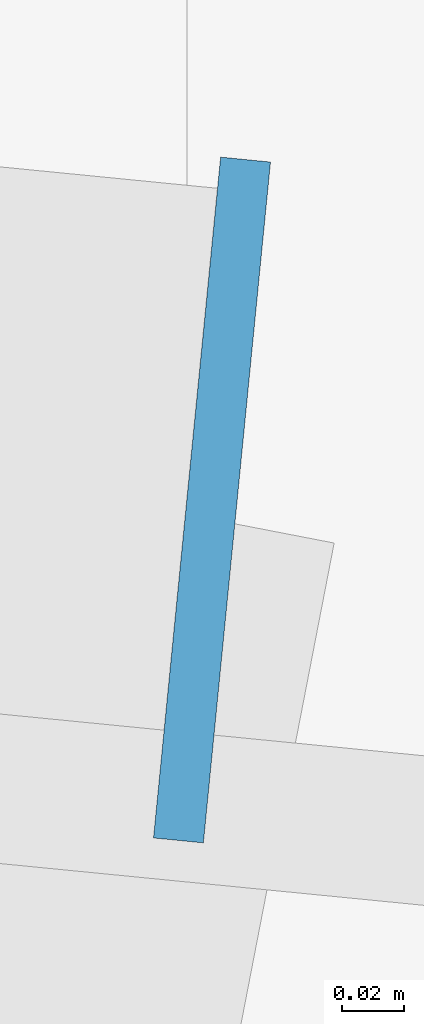
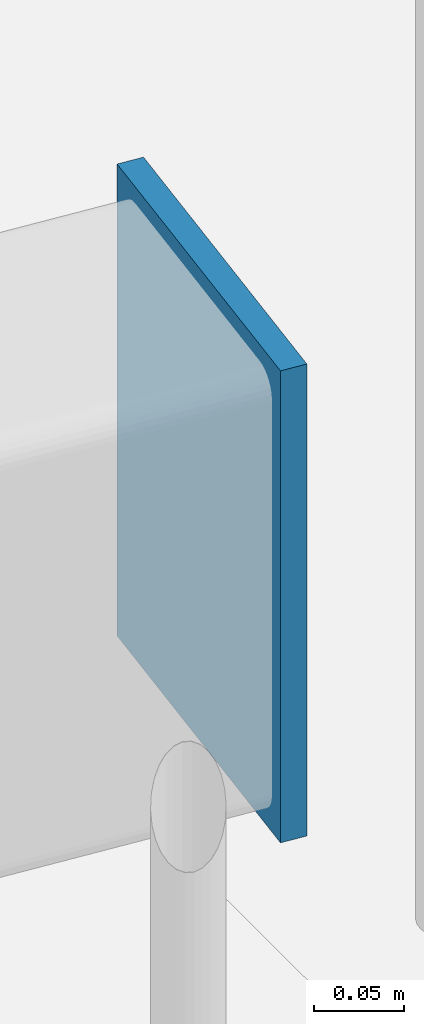
# One storey, part 40 of 58: 1 plate.
"""IFC4 building model written with IfcOpenShell, lengths in metres."""

from ifc_helpers import new_model, si_unit, direction, frame, origin, origin_2d, place, context, subcontext, project, spatial, rectangle, extrude, material, layer, layer_set, type_object, element, save


model = new_model("IFC4")

# Units and contexts
model_context = context("Model", 3, precision=1e-05, world=origin(), true_north=direction((0.0, 1.0)))
body_context = subcontext(model_context, "Body", "Model", "MODEL_VIEW")
ifc_project = project(units=[si_unit("LENGTHUNIT", "METRE"), si_unit("AREAUNIT", "SQUARE_METRE"), si_unit("VOLUMEUNIT", "CUBIC_METRE"), si_unit("PLANEANGLEUNIT", "RADIAN"), si_unit("MASSUNIT", "GRAM", prefix="KILO")], contexts=[model_context])

# Site, building, storey
site_placement = place(None, origin())
site = spatial("IfcSite", under=ifc_project, at=site_placement, CompositionType="ELEMENT")
building_placement = place(site_placement, origin())
building = spatial("IfcBuilding", under=site, at=building_placement, Name="Yeouljin Market Hall", CompositionType="ELEMENT")
storey_placement = place(building_placement, frame((0.0, 0.0, 10.800048828125)))
storey = spatial("IfcBuildingStorey", under=building, at=storey_placement, Name="L02", CompositionType="ELEMENT", Elevation=10.800048828125)

# Plate
ifc_material = material(Name="Steel SM355", Category="steel")
ifc_layer = layer(ifc_material, 0.01611328125)
ifc_layer_set = layer_set([ifc_layer], Name="Steel SM355")
plate_type = type_object("IfcPlateType", Name="CapPlate_320x220x16", PredefinedType="SHEET", material=ifc_layer_set)
plate_placement = place(storey_placement, frame((35.407958984375, 36.19921875, 0.08984375), z_axis=(0.0, 0.0, 1.0), x_axis=(-0.098103986207, -0.995176169274, 0.0)))
element("IfcPlate", 1, at=plate_placement, inside=storey, type_object=plate_type, Name="Apse eaves ring end-cap plate west 01", PredefinedType="SHEET", context=body_context, shape_type="SweptSolid", body=[
    extrude(rectangle(XDim=0.219970703125, YDim=0.01611328125, at=origin_2d()), origin(), (0.0, 0.0, 1.0), 0.320068359375),
])

save(model, "model.ifc")
